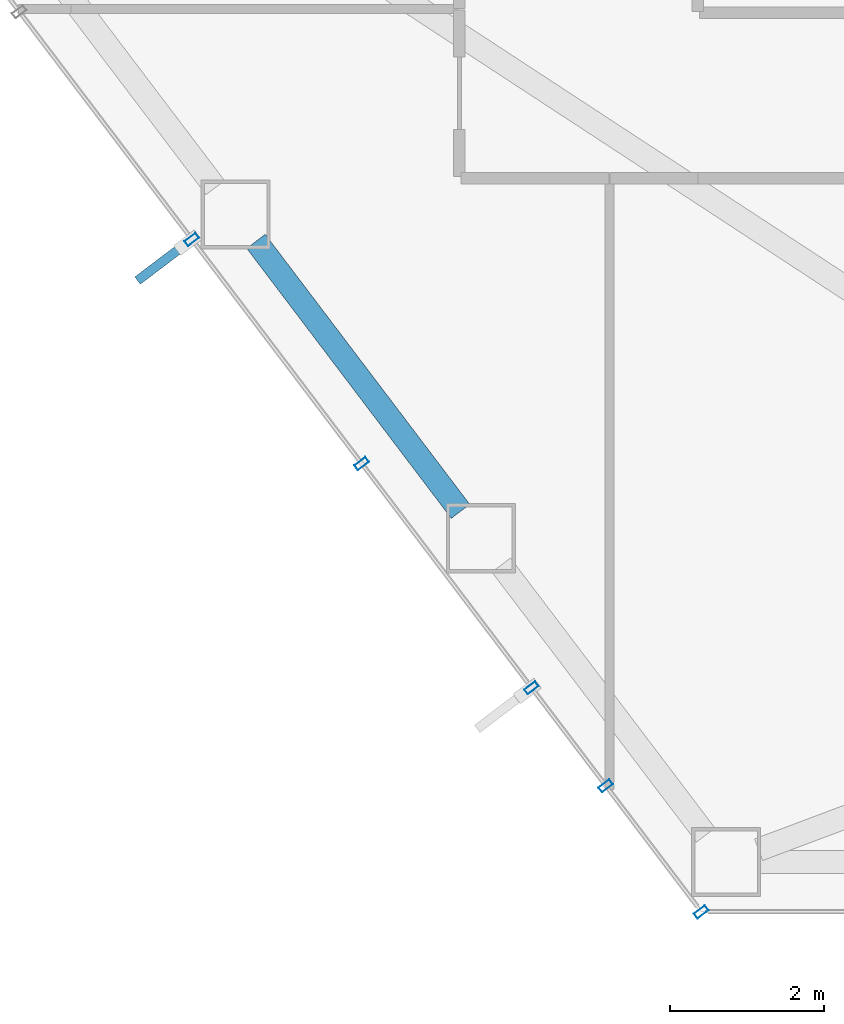
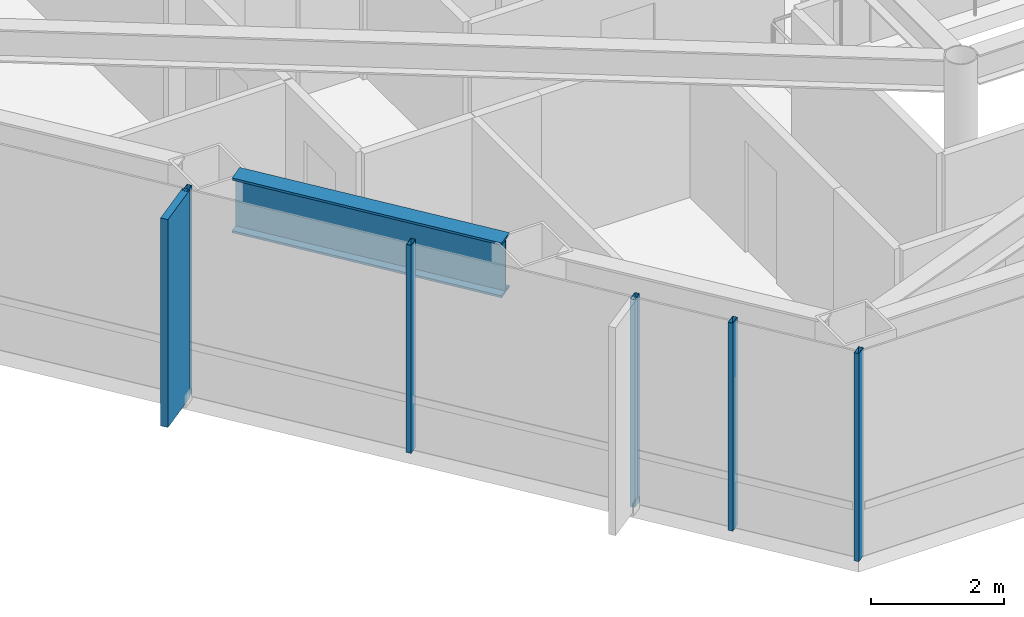
# One storey, part 2 of 25: 6 members, 1 beam, 1 element without a shape of its own.
"""IFC4 building model written with IfcOpenShell, lengths in metres."""

import ifcopenshell
import ifcopenshell.guid

model = None  # the IFC model being written
_history = None  # IfcOwnerHistory: only IFC2X3 demands one
_inside = {}  # id of a spatial element -> (the spatial element, [elements in it])
_under = {}  # id of a project, library or spatial element -> (it, [spatial elements below it])
_declared = {}  # id of a project -> (the project, [libraries it declares])
_typed = {}  # id of a type object -> (the type object, [elements of that type])
_made_of = {}  # id of a material, layer set ... -> (it, [elements and type objects made of it])


def new_model(schema):
    """Start an empty IFC model of exactly this schema.

    Asked for "IFC4X3", IfcOpenShell would pick the latest addendum, in which some entities
    have other attributes; the version numbers below select the first issue.
    IFC2X3 requires an IfcOwnerHistory on every rooted entity: one is made here for all.
    """
    global model, _history
    if schema == "IFC4X3":
        model = ifcopenshell.file(schema_version=(4, 3, 0, 0))
    else:
        model = ifcopenshell.file(schema=schema)
    _inside.clear()
    _under.clear()
    _declared.clear()
    _typed.clear()
    _made_of.clear()
    _history = None
    if model.schema == "IFC2X3":
        org = make("IfcOrganization", Name="unknown")
        user = make(
            "IfcPersonAndOrganization",
            ThePerson=make("IfcPerson", FamilyName="unknown"),
            TheOrganization=org,
        )
        app = make(
            "IfcApplication",
            ApplicationDeveloper=org,
            Version="unknown",
            ApplicationFullName="unknown",
            ApplicationIdentifier="unknown",
        )
        _history = make(
            "IfcOwnerHistory",
            OwningUser=user,
            OwningApplication=app,
            ChangeAction="ADDED",
            CreationDate=0,
        )
    return model


def make(cls, **values):
    """One entity of the class cls with the attributes given. An attribute that is None is left unset."""
    return model.create_entity(
        cls, **{name: value for name, value in values.items() if value is not None}
    )


def rooted(cls, **values):
    """An entity with a GlobalId (a new one), such as an element, a storey or a relation."""
    return make(cls, GlobalId=ifcopenshell.guid.new(), OwnerHistory=_history, **values)


def si_unit(unit_type, name, prefix=None):
    """IfcSIUnit, for example si_unit("LENGTHUNIT", "METRE", prefix="MILLI")."""
    return make("IfcSIUnit", UnitType=unit_type, Prefix=prefix, Name=name)


def assignment(units):
    """IfcUnitAssignment: the units of a project."""
    return None if units is None else make("IfcUnitAssignment", Units=units)


def point(xyz):
    """IfcCartesianPoint."""
    return None if xyz is None else make("IfcCartesianPoint", Coordinates=xyz)


def direction(xyz):
    """IfcDirection."""
    return None if xyz is None else make("IfcDirection", DirectionRatios=xyz)


def frame(location, z_axis=None, x_axis=None):
    """IfcAxis2Placement3D, a coordinate frame: its origin and axes. An axis left out is left unset."""
    return make(
        "IfcAxis2Placement3D",
        Location=point(location),
        Axis=direction(z_axis),
        RefDirection=direction(x_axis),
    )


def frame_2d(location, x_axis=None):
    """IfcAxis2Placement2D, a coordinate frame in the plane: its origin and x axis."""
    return make(
        "IfcAxis2Placement2D", Location=point(location), RefDirection=direction(x_axis)
    )


def origin():
    """The frame at (0, 0, 0) with its axes left unset."""
    return frame((0.0, 0.0, 0.0))


def origin_2d():
    """The frame at (0, 0) in the plane with its x axis left unset."""
    return frame_2d((0.0, 0.0))


def place(relative_to, where):
    """IfcLocalPlacement: puts the frame where relative to a parent placement (None: the world)."""
    return make(
        "IfcLocalPlacement", PlacementRelTo=relative_to, RelativePlacement=where
    )


def context(
    kind, dimensions, precision=None, world=None, true_north=None, identifier=None
):
    """IfcGeometricRepresentationContext, for example the 3D "Model" context."""
    return make(
        "IfcGeometricRepresentationContext",
        ContextIdentifier=identifier,
        ContextType=kind,
        CoordinateSpaceDimension=dimensions,
        Precision=precision,
        WorldCoordinateSystem=world,
        TrueNorth=true_north,
    )


def subcontext(parent, identifier, kind, view, scale=None):
    """IfcGeometricRepresentationSubContext, for example "Body" below "Model"."""
    return make(
        "IfcGeometricRepresentationSubContext",
        ContextIdentifier=identifier,
        ContextType=kind,
        ParentContext=parent,
        TargetScale=scale,
        TargetView=view,
    )


def project(units=None, contexts=None):
    """IfcProject with its units and contexts."""
    return rooted(
        "IfcProject",
        Name="project",
        RepresentationContexts=contexts,
        UnitsInContext=assignment(units),
    )


def spatial(cls, under=None, at=None, **own):
    """A site, building, storey or space (cls), placed at a placement, below another one or the project."""
    s = rooted(cls, ObjectPlacement=at, **own)
    if under is not None:
        _under.setdefault(under.id(), (under, []))[1].append(s)
    return s


def profile(cls, at=None, kind="AREA", **sizes):
    """A parametric profile (cls). Its sizes go by their IFC names, for example OverallWidth=200.0."""
    return make(cls, ProfileType=kind, Position=at, **sizes)


def rectangle(**sizes):
    """IfcRectangleProfileDef."""
    return profile("IfcRectangleProfileDef", **sizes)


def hollow_rectangle(**sizes):
    """IfcRectangleHollowProfileDef."""
    return profile("IfcRectangleHollowProfileDef", **sizes)


def i_section(**sizes):
    """IfcIShapeProfileDef."""
    return profile("IfcIShapeProfileDef", **sizes)


def extrude(swept, where, along, depth):
    """IfcExtrudedAreaSolid: the profile swept, set in the frame where, extruded along a direction by depth."""
    return make(
        "IfcExtrudedAreaSolid",
        SweptArea=swept,
        Position=where,
        ExtrudedDirection=direction(along),
        Depth=depth,
    )


def shape(context_of_items, identifier, shape_type, items):
    """IfcShapeRepresentation: the items that make up one representation, for example the "Body"."""
    return make(
        "IfcShapeRepresentation",
        ContextOfItems=context_of_items,
        RepresentationIdentifier=identifier,
        RepresentationType=shape_type,
        Items=items,
    )


def material(Name=None, Category=None):
    """IfcMaterial."""
    return make("IfcMaterial", Name=Name, Category=Category)


def layer(
    of_material, thickness, ventilated=None, Name=None, Category=None, Priority=None
):
    """IfcMaterialLayer: one layer of a wall or slab, of a material (None: an air gap)."""
    return make(
        "IfcMaterialLayer",
        Material=of_material,
        LayerThickness=thickness,
        IsVentilated=ventilated,
        Name=Name,
        Category=Category,
        Priority=Priority,
    )


def layer_set(layers, Name=None):
    """IfcMaterialLayerSet."""
    return make("IfcMaterialLayerSet", MaterialLayers=layers, LayerSetName=Name)


def material_profile(
    of_material, cross_section, Name=None, Category=None, Priority=None
):
    """IfcMaterialProfile: a cross section and its material."""
    return make(
        "IfcMaterialProfile",
        Name=Name,
        Material=of_material,
        Profile=cross_section,
        Priority=Priority,
        Category=Category,
    )


def profile_set(profiles, Name=None, composite=None):
    """IfcMaterialProfileSet."""
    return make(
        "IfcMaterialProfileSet",
        Name=Name,
        MaterialProfiles=profiles,
        CompositeProfile=composite,
    )


def made_of(thing, what):
    """Note that an element or type object is made of a material, layer set ...; save() writes the relation."""
    if what is not None:
        _made_of.setdefault(what.id(), (what, []))[1].append(thing)
    return thing


def type_object(cls, material=None, **own):
    """A type object (cls), such as IfcWallType, which elements share."""
    return made_of(rooted(cls, **own), material)


def element(
    cls,
    number,
    at=None,
    inside=None,
    cuts=None,
    type_object=None,
    material=None,
    context=None,
    identifier="Body",
    shape_type=None,
    held_by="IfcProductDefinitionShape",
    body=None,
    shapes=None,
    **own,
):
    """One element of the class cls, such as IfcWall. Its Tag is "e" and its number.

    at: its placement. inside: the storey or other place that contains it. cuts: it is an
    opening in that element (IfcRelVoidsElement). A single representation is given by context,
    identifier, shape_type and body (its items); several are given by shapes. held_by: the class
    of the entity that holds the representations. save() writes the other relations.
    """
    e = rooted(cls, Tag="e%d" % number, ObjectPlacement=at, **own)
    if body is not None:
        shapes = [shape(context, identifier, shape_type, body)]
    if shapes is not None:
        e.Representation = make(held_by, Representations=shapes)
    if inside is not None:
        _inside.setdefault(inside.id(), (inside, []))[1].append(e)
    if cuts is not None:
        rooted(
            "IfcRelVoidsElement", RelatingBuildingElement=cuts, RelatedOpeningElement=e
        )
    if type_object is not None:
        _typed.setdefault(type_object.id(), (type_object, []))[1].append(e)
    return made_of(e, material)


def aggregate(whole, parts):
    """IfcRelAggregates: a whole, such as a stair, and the parts it consists of."""
    return rooted("IfcRelAggregates", RelatingObject=whole, RelatedObjects=parts)


def save(model, path):
    """Write the relations noted so far, then the file.

    IfcRelAggregates (storeys below a building ...), IfcRelContainedInSpatialStructure (elements
    in a storey), IfcRelDefinesByType, IfcRelAssociatesMaterial and IfcRelDeclares: one each for
    every whole, place, type object, material and project.
    """
    for whole, parts in _under.values():
        aggregate(whole, parts)
    for where, things in _inside.values():
        rooted(
            "IfcRelContainedInSpatialStructure",
            RelatedElements=things,
            RelatingStructure=where,
        )
    for kind, things in _typed.values():
        rooted("IfcRelDefinesByType", RelatedObjects=things, RelatingType=kind)
    for what, things in _made_of.values():
        rooted("IfcRelAssociatesMaterial", RelatedObjects=things, RelatingMaterial=what)
    for by, libraries in _declared.values():
        rooted("IfcRelDeclares", RelatingContext=by, RelatedDefinitions=libraries)
    model.write(path)


model = new_model("IFC4")

# Units and contexts
model_context = context("Model", 3, precision=1e-05, world=origin(), true_north=direction((0.0, 1.0)))
body_context = subcontext(model_context, "Body", "Model", "MODEL_VIEW")
ifc_project = project(units=[si_unit("LENGTHUNIT", "METRE"), si_unit("AREAUNIT", "SQUARE_METRE"), si_unit("VOLUMEUNIT", "CUBIC_METRE"), si_unit("PLANEANGLEUNIT", "RADIAN"), si_unit("MASSUNIT", "GRAM", prefix="KILO")], contexts=[model_context])

# Site, building, storey
site_placement = place(None, origin())
site = spatial("IfcSite", under=ifc_project, at=site_placement, CompositionType="ELEMENT")
building_placement = place(site_placement, origin())
building = spatial("IfcBuilding", under=site, at=building_placement, Name="Zarrinselat Tower", CompositionType="ELEMENT")
storey_placement = place(building_placement, frame((0.0, 0.0, 84.659912109375)))
storey = spatial("IfcBuildingStorey", under=building, at=storey_placement, Name="L20", CompositionType="ELEMENT", Elevation=84.659912109375)

# Beam
ifc_material_1 = material(Name="Steel S460M", Category="steel")
ifc_material_profile_1 = material_profile(ifc_material_1, i_section(OverallWidth=0.302001953125, OverallDepth=1.008056640625, WebThickness=0.02099609375, FlangeThickness=0.0400390625, at=origin_2d()), Name="HEM 1000")
ifc_profile_set_1 = profile_set([ifc_material_profile_1], Name="Steel S460M")
beam_type = type_object("IfcBeamType", Name="BM-HEM1000", PredefinedType="BEAM", material=ifc_profile_set_1)
beam_placement = place(storey_placement, frame((22.8046875, 27.1787109375, 3.316162109375), z_axis=(0.603859822423, -0.797090531159, 0.0), x_axis=(0.797090531159, 0.603859822423, 0.0)))
element("IfcBeam", 1, at=beam_placement, inside=storey, type_object=beam_type, Name="L20 Perimeter Spandrel Girder SP08", PredefinedType="BEAM", context=body_context, shape_type="SweptSolid", body=[
    extrude(i_section(OverallWidth=0.302001953125, OverallDepth=1.008056640625, WebThickness=0.02099609375, FlangeThickness=0.0400390625, at=origin_2d()), origin(), (0.0, 0.0, 1.0), 4.404541015625),
])

# Curtain wall, members
ifc_material_2 = material(Name="Extruded Aluminium Alloy EN AW-6063 T6", Category="aluminium")
ifc_layer = layer(ifc_material_2, 0.18505859375)
ifc_layer_set = layer_set([ifc_layer], Name="Extruded Aluminium Alloy EN AW-6063 T6")
curtain_wall_type = type_object("IfcCurtainWallType", Name="CWS-OFF", PredefinedType="NOTDEFINED", material=ifc_layer_set)
curtain_wall_placement = place(storey_placement, origin())
curtain_wall = element("IfcCurtainWall", 2, at=curtain_wall_placement, inside=storey, type_object=curtain_wall_type, Name="L20 Unitised Curtain Wall CW-L20-E03", PredefinedType="NOTDEFINED")
ifc_material_3 = material(Name="Extruded Aluminium Alloy EN AW-6063 T6", Category="aluminium")
ifc_material_profile_2 = material_profile(ifc_material_3, hollow_rectangle(XDim=0.080078125, YDim=0.179931640625, WallThickness=0.0048828125, at=origin_2d()), Name="RHS 180x80x5")
ifc_profile_set_2 = profile_set([ifc_material_profile_2], Name="Extruded Aluminium Alloy EN AW-6063 T6")
member_type_1 = type_object("IfcMemberType", Name="MEM-CW-MUL", PredefinedType="MULLION", material=ifc_profile_set_2)
member_1_placement = place(storey_placement, frame((21.970947265625, 27.202880859375, 0.0), z_axis=(0.0, 0.0, 1.0), x_axis=(0.603856459269, -0.797093079006, 0.0)))
member_1 = element("IfcMember", 3, at=member_1_placement, type_object=member_type_1, Name="CW-L20-E03 Mullion 3", PredefinedType="MULLION", context=body_context, shape_type="SweptSolid", body=[
    extrude(hollow_rectangle(XDim=0.080078125, YDim=0.179931640625, WallThickness=0.0048828125, at=origin_2d()), origin(), (0.0, 0.0, 1.0), 3.820068359375),
])
member_2_placement = place(storey_placement, frame((24.1787109375, 24.28857421875, 0.0), z_axis=(0.0, 0.0, 1.0), x_axis=(0.603856459269, -0.797093079006, 0.0)))
member_2 = element("IfcMember", 4, at=member_2_placement, type_object=member_type_1, Name="CW-L20-E03 Mullion 4", PredefinedType="MULLION", context=body_context, shape_type="SweptSolid", body=[
    extrude(hollow_rectangle(XDim=0.080078125, YDim=0.179931640625, WallThickness=0.0048828125, at=origin_2d()), origin(), (0.0, 0.0, 1.0), 3.820068359375),
])
member_3_placement = place(storey_placement, frame((26.38671875, 21.374267578125, 0.0), z_axis=(0.0, 0.0, 1.0), x_axis=(0.603856459269, -0.797093079006, 0.0)))
member_3 = element("IfcMember", 5, at=member_3_placement, type_object=member_type_1, Name="CW-L20-E03 Mullion 5", PredefinedType="MULLION", context=body_context, shape_type="SweptSolid", body=[
    extrude(hollow_rectangle(XDim=0.080078125, YDim=0.179931640625, WallThickness=0.0048828125, at=origin_2d()), origin(), (0.0, 0.0, 1.0), 3.820068359375),
])
member_4_placement = place(storey_placement, frame((27.352294921875, 20.099853515625, 0.0), z_axis=(0.0, 0.0, 1.0), x_axis=(0.603856459269, -0.797093079006, 0.0)))
member_4 = element("IfcMember", 6, at=member_4_placement, type_object=member_type_1, Name="CW-L20-E03 Mullion 6", PredefinedType="MULLION", context=body_context, shape_type="SweptSolid", body=[
    extrude(hollow_rectangle(XDim=0.080078125, YDim=0.179931640625, WallThickness=0.0048828125, at=origin_2d()), origin(), (0.0, 0.0, 1.0), 3.820068359375),
])
member_5_placement = place(storey_placement, frame((28.594482421875, 18.4599609375, 0.0), z_axis=(0.0, 0.0, 1.0), x_axis=(0.603856459269, -0.797093079006, 0.0)))
member_5 = element("IfcMember", 7, at=member_5_placement, type_object=member_type_1, Name="CW-L20-E03 Mullion 7", PredefinedType="MULLION", context=body_context, shape_type="SweptSolid", body=[
    extrude(hollow_rectangle(XDim=0.080078125, YDim=0.179931640625, WallThickness=0.0048828125, at=origin_2d()), origin(), (0.0, 0.0, 1.0), 3.820068359375),
])
ifc_material_4 = material(Name="Honed Cream Travertine Stone", Category="masonry")
ifc_material_profile_3 = material_profile(ifc_material_4, rectangle(XDim=0.1201171875, YDim=0.85009765625, at=origin_2d()), Name="FIN 850x120")
ifc_profile_set_3 = profile_set([ifc_material_profile_3], Name="Honed Cream Travertine Stone")
member_type_2 = type_object("IfcMemberType", Name="MEM-STONE-FIN", PredefinedType="USERDEFINED", material=ifc_profile_set_3)
member_6_placement = place(storey_placement, frame((21.604248046875, 26.925048828125, 0.0), z_axis=(0.0, 0.0, 1.0), x_axis=(-0.603856459269, 0.797093079006, 0.0)))
member_6 = element("IfcMember", 8, at=member_6_placement, type_object=member_type_2, Name="L20 Stone Shading Fin CW-L20-E03-03", ObjectType="FIN", PredefinedType="USERDEFINED", context=body_context, shape_type="SweptSolid", body=[
    extrude(rectangle(XDim=0.1201171875, YDim=0.85009765625, at=origin_2d()), origin(), (0.0, 0.0, 1.0), 3.820068359375),
])
aggregate(curtain_wall, [member_1, member_6, member_2, member_3, member_4, member_5])

save(model, "model.ifc")
